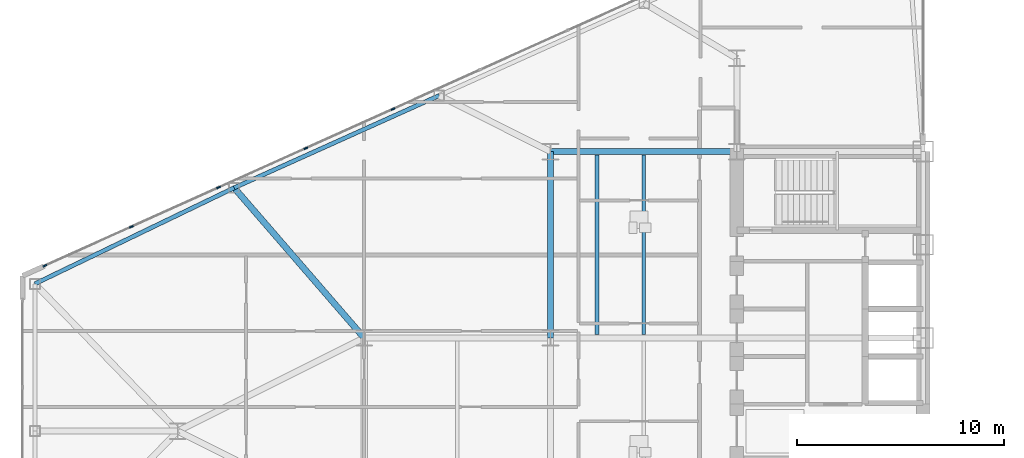
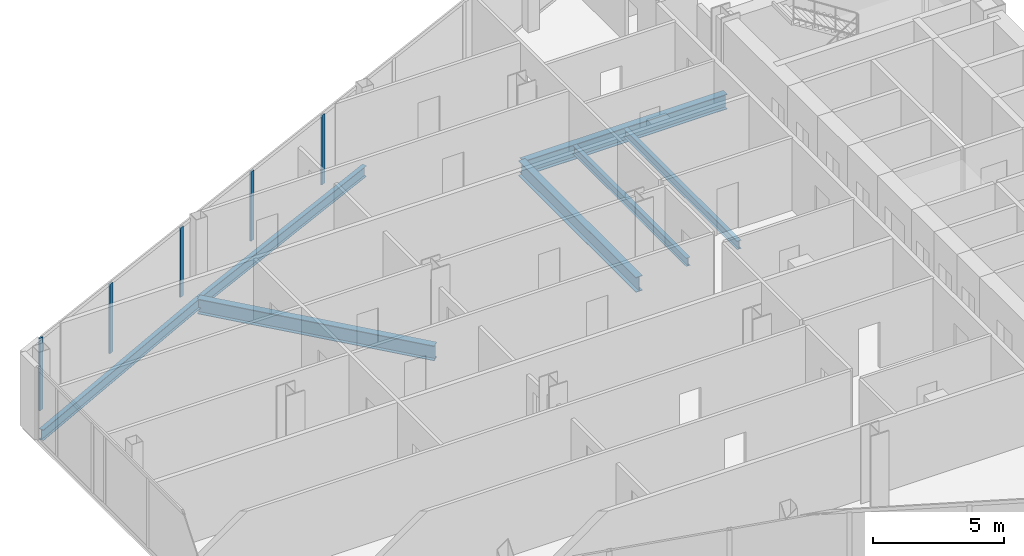
# One storey, part 7 of 27: 7 beams, 5 members, 1 element without a shape of its own.
"""IFC4 building model written with IfcOpenShell, lengths in metres."""

import ifcopenshell
import ifcopenshell.guid

model = None  # the IFC model being written
_history = None  # IfcOwnerHistory: only IFC2X3 demands one
_inside = {}  # id of a spatial element -> (the spatial element, [elements in it])
_under = {}  # id of a project, library or spatial element -> (it, [spatial elements below it])
_declared = {}  # id of a project -> (the project, [libraries it declares])
_typed = {}  # id of a type object -> (the type object, [elements of that type])
_made_of = {}  # id of a material, layer set ... -> (it, [elements and type objects made of it])


def new_model(schema):
    """Start an empty IFC model of exactly this schema.

    Asked for "IFC4X3", IfcOpenShell would pick the latest addendum, in which some entities
    have other attributes; the version numbers below select the first issue.
    IFC2X3 requires an IfcOwnerHistory on every rooted entity: one is made here for all.
    """
    global model, _history
    if schema == "IFC4X3":
        model = ifcopenshell.file(schema_version=(4, 3, 0, 0))
    else:
        model = ifcopenshell.file(schema=schema)
    _inside.clear()
    _under.clear()
    _declared.clear()
    _typed.clear()
    _made_of.clear()
    _history = None
    if model.schema == "IFC2X3":
        org = make("IfcOrganization", Name="unknown")
        user = make(
            "IfcPersonAndOrganization",
            ThePerson=make("IfcPerson", FamilyName="unknown"),
            TheOrganization=org,
        )
        app = make(
            "IfcApplication",
            ApplicationDeveloper=org,
            Version="unknown",
            ApplicationFullName="unknown",
            ApplicationIdentifier="unknown",
        )
        _history = make(
            "IfcOwnerHistory",
            OwningUser=user,
            OwningApplication=app,
            ChangeAction="ADDED",
            CreationDate=0,
        )
    return model


def make(cls, **values):
    """One entity of the class cls with the attributes given. An attribute that is None is left unset."""
    return model.create_entity(
        cls, **{name: value for name, value in values.items() if value is not None}
    )


def rooted(cls, **values):
    """An entity with a GlobalId (a new one), such as an element, a storey or a relation."""
    return make(cls, GlobalId=ifcopenshell.guid.new(), OwnerHistory=_history, **values)


def si_unit(unit_type, name, prefix=None):
    """IfcSIUnit, for example si_unit("LENGTHUNIT", "METRE", prefix="MILLI")."""
    return make("IfcSIUnit", UnitType=unit_type, Prefix=prefix, Name=name)


def assignment(units):
    """IfcUnitAssignment: the units of a project."""
    return None if units is None else make("IfcUnitAssignment", Units=units)


def point(xyz):
    """IfcCartesianPoint."""
    return None if xyz is None else make("IfcCartesianPoint", Coordinates=xyz)


def direction(xyz):
    """IfcDirection."""
    return None if xyz is None else make("IfcDirection", DirectionRatios=xyz)


def frame(location, z_axis=None, x_axis=None):
    """IfcAxis2Placement3D, a coordinate frame: its origin and axes. An axis left out is left unset."""
    return make(
        "IfcAxis2Placement3D",
        Location=point(location),
        Axis=direction(z_axis),
        RefDirection=direction(x_axis),
    )


def frame_2d(location, x_axis=None):
    """IfcAxis2Placement2D, a coordinate frame in the plane: its origin and x axis."""
    return make(
        "IfcAxis2Placement2D", Location=point(location), RefDirection=direction(x_axis)
    )


def origin():
    """The frame at (0, 0, 0) with its axes left unset."""
    return frame((0.0, 0.0, 0.0))


def origin_2d():
    """The frame at (0, 0) in the plane with its x axis left unset."""
    return frame_2d((0.0, 0.0))


def place(relative_to, where):
    """IfcLocalPlacement: puts the frame where relative to a parent placement (None: the world)."""
    return make(
        "IfcLocalPlacement", PlacementRelTo=relative_to, RelativePlacement=where
    )


def context(
    kind, dimensions, precision=None, world=None, true_north=None, identifier=None
):
    """IfcGeometricRepresentationContext, for example the 3D "Model" context."""
    return make(
        "IfcGeometricRepresentationContext",
        ContextIdentifier=identifier,
        ContextType=kind,
        CoordinateSpaceDimension=dimensions,
        Precision=precision,
        WorldCoordinateSystem=world,
        TrueNorth=true_north,
    )


def subcontext(parent, identifier, kind, view, scale=None):
    """IfcGeometricRepresentationSubContext, for example "Body" below "Model"."""
    return make(
        "IfcGeometricRepresentationSubContext",
        ContextIdentifier=identifier,
        ContextType=kind,
        ParentContext=parent,
        TargetScale=scale,
        TargetView=view,
    )


def project(units=None, contexts=None):
    """IfcProject with its units and contexts."""
    return rooted(
        "IfcProject",
        Name="project",
        RepresentationContexts=contexts,
        UnitsInContext=assignment(units),
    )


def spatial(cls, under=None, at=None, **own):
    """A site, building, storey or space (cls), placed at a placement, below another one or the project."""
    s = rooted(cls, ObjectPlacement=at, **own)
    if under is not None:
        _under.setdefault(under.id(), (under, []))[1].append(s)
    return s


def profile(cls, at=None, kind="AREA", **sizes):
    """A parametric profile (cls). Its sizes go by their IFC names, for example OverallWidth=200.0."""
    return make(cls, ProfileType=kind, Position=at, **sizes)


def rectangle(**sizes):
    """IfcRectangleProfileDef."""
    return profile("IfcRectangleProfileDef", **sizes)


def i_section(**sizes):
    """IfcIShapeProfileDef."""
    return profile("IfcIShapeProfileDef", **sizes)


def extrude(swept, where, along, depth):
    """IfcExtrudedAreaSolid: the profile swept, set in the frame where, extruded along a direction by depth."""
    return make(
        "IfcExtrudedAreaSolid",
        SweptArea=swept,
        Position=where,
        ExtrudedDirection=direction(along),
        Depth=depth,
    )


def shape(context_of_items, identifier, shape_type, items):
    """IfcShapeRepresentation: the items that make up one representation, for example the "Body"."""
    return make(
        "IfcShapeRepresentation",
        ContextOfItems=context_of_items,
        RepresentationIdentifier=identifier,
        RepresentationType=shape_type,
        Items=items,
    )


def source(mapping_origin, context_of_items, identifier, shape_type, items):
    """IfcRepresentationMap: a shape defined once, which mapped items show again and again."""
    return make(
        "IfcRepresentationMap",
        MappingOrigin=mapping_origin,
        MappedRepresentation=shape(context_of_items, identifier, shape_type, items),
    )


def transform(
    local_origin,
    x_axis=None,
    y_axis=None,
    z_axis=None,
    scale=None,
    scale2=None,
    scale3=None,
    uniform=True,
):
    """IfcCartesianTransformationOperator3D, or its non-uniform kind. x_axis, y_axis, z_axis: its Axis1, 2, 3."""
    if uniform:
        return make(
            "IfcCartesianTransformationOperator3D",
            Axis1=direction(x_axis),
            Axis2=direction(y_axis),
            LocalOrigin=point(local_origin),
            Scale=scale,
            Axis3=direction(z_axis),
        )
    return make(
        "IfcCartesianTransformationOperator3DnonUniform",
        Axis1=direction(x_axis),
        Axis2=direction(y_axis),
        LocalOrigin=point(local_origin),
        Scale=scale,
        Axis3=direction(z_axis),
        Scale2=scale2,
        Scale3=scale3,
    )


def mapped(mapping_source, mapping_target):
    """IfcMappedItem: shows the shape of a source again, moved by a transform."""
    return make(
        "IfcMappedItem", MappingSource=mapping_source, MappingTarget=mapping_target
    )


def material(Name=None, Category=None):
    """IfcMaterial."""
    return make("IfcMaterial", Name=Name, Category=Category)


def layer(
    of_material, thickness, ventilated=None, Name=None, Category=None, Priority=None
):
    """IfcMaterialLayer: one layer of a wall or slab, of a material (None: an air gap)."""
    return make(
        "IfcMaterialLayer",
        Material=of_material,
        LayerThickness=thickness,
        IsVentilated=ventilated,
        Name=Name,
        Category=Category,
        Priority=Priority,
    )


def layer_set(layers, Name=None):
    """IfcMaterialLayerSet."""
    return make("IfcMaterialLayerSet", MaterialLayers=layers, LayerSetName=Name)


def material_profile(
    of_material, cross_section, Name=None, Category=None, Priority=None
):
    """IfcMaterialProfile: a cross section and its material."""
    return make(
        "IfcMaterialProfile",
        Name=Name,
        Material=of_material,
        Profile=cross_section,
        Priority=Priority,
        Category=Category,
    )


def profile_set(profiles, Name=None, composite=None):
    """IfcMaterialProfileSet."""
    return make(
        "IfcMaterialProfileSet",
        Name=Name,
        MaterialProfiles=profiles,
        CompositeProfile=composite,
    )


def made_of(thing, what):
    """Note that an element or type object is made of a material, layer set ...; save() writes the relation."""
    if what is not None:
        _made_of.setdefault(what.id(), (what, []))[1].append(thing)
    return thing


def type_object(cls, material=None, **own):
    """A type object (cls), such as IfcWallType, which elements share."""
    return made_of(rooted(cls, **own), material)


def type_shapes(of_type, sources):
    """Give a type object the sources (RepresentationMaps) that its elements show as mapped items."""
    of_type.RepresentationMaps = sources


def element(
    cls,
    number,
    at=None,
    inside=None,
    cuts=None,
    type_object=None,
    material=None,
    context=None,
    identifier="Body",
    shape_type=None,
    held_by="IfcProductDefinitionShape",
    body=None,
    shapes=None,
    **own,
):
    """One element of the class cls, such as IfcWall. Its Tag is "e" and its number.

    at: its placement. inside: the storey or other place that contains it. cuts: it is an
    opening in that element (IfcRelVoidsElement). A single representation is given by context,
    identifier, shape_type and body (its items); several are given by shapes. held_by: the class
    of the entity that holds the representations. save() writes the other relations.
    """
    e = rooted(cls, Tag="e%d" % number, ObjectPlacement=at, **own)
    if body is not None:
        shapes = [shape(context, identifier, shape_type, body)]
    if shapes is not None:
        e.Representation = make(held_by, Representations=shapes)
    if inside is not None:
        _inside.setdefault(inside.id(), (inside, []))[1].append(e)
    if cuts is not None:
        rooted(
            "IfcRelVoidsElement", RelatingBuildingElement=cuts, RelatedOpeningElement=e
        )
    if type_object is not None:
        _typed.setdefault(type_object.id(), (type_object, []))[1].append(e)
    return made_of(e, material)


def aggregate(whole, parts):
    """IfcRelAggregates: a whole, such as a stair, and the parts it consists of."""
    return rooted("IfcRelAggregates", RelatingObject=whole, RelatedObjects=parts)


def save(model, path):
    """Write the relations noted so far, then the file.

    IfcRelAggregates (storeys below a building ...), IfcRelContainedInSpatialStructure (elements
    in a storey), IfcRelDefinesByType, IfcRelAssociatesMaterial and IfcRelDeclares: one each for
    every whole, place, type object, material and project.
    """
    for whole, parts in _under.values():
        aggregate(whole, parts)
    for where, things in _inside.values():
        rooted(
            "IfcRelContainedInSpatialStructure",
            RelatedElements=things,
            RelatingStructure=where,
        )
    for kind, things in _typed.values():
        rooted("IfcRelDefinesByType", RelatedObjects=things, RelatingType=kind)
    for what, things in _made_of.values():
        rooted("IfcRelAssociatesMaterial", RelatedObjects=things, RelatingMaterial=what)
    for by, libraries in _declared.values():
        rooted("IfcRelDeclares", RelatingContext=by, RelatedDefinitions=libraries)
    model.write(path)


model = new_model("IFC4")

# Units and contexts
model_context = context("Model", 3, precision=1e-05, world=origin(), true_north=direction((0.0, 1.0)))
body_context = subcontext(model_context, "Body", "Model", "MODEL_VIEW")
ifc_project = project(units=[si_unit("LENGTHUNIT", "METRE"), si_unit("AREAUNIT", "SQUARE_METRE"), si_unit("VOLUMEUNIT", "CUBIC_METRE"), si_unit("PLANEANGLEUNIT", "RADIAN"), si_unit("MASSUNIT", "GRAM", prefix="KILO")], contexts=[model_context])

# Site, building, storey
site_placement = place(None, origin())
site = spatial("IfcSite", under=ifc_project, at=site_placement, CompositionType="ELEMENT")
building_placement = place(site_placement, origin())
building = spatial("IfcBuilding", under=site, at=building_placement, Name="Seokmaru Belvedere", CompositionType="ELEMENT")
storey_placement = place(building_placement, frame((0.0, 0.0, 99.60009765625)))
storey = spatial("IfcBuildingStorey", under=building, at=storey_placement, Name="L26", CompositionType="ELEMENT", Elevation=99.60009765625)

# Beams
ifc_material_1 = material(Name="Steel SM355 (355 MPa)", Category="steel")
ifc_material_profile_1 = material_profile(ifc_material_1, i_section(OverallWidth=0.300048828125, OverallDepth=0.699951171875, WebThickness=0.012939453125, FlangeThickness=0.02392578125, at=origin_2d()), Name="H-700x300x13x24")
ifc_profile_set_1 = profile_set([ifc_material_profile_1], Name="Steel SM355 (355 MPa)")
beam_type_1 = type_object("IfcBeamType", Name="Primary Floor Girder H-700", PredefinedType="BEAM", material=ifc_profile_set_1)
shared_shape_1 = source(origin(), body_context, "Body", "SweptSolid", [
    extrude(i_section(OverallWidth=0.300048828125, OverallDepth=0.699951171875, WebThickness=0.012939453125, FlangeThickness=0.02392578125, at=origin_2d()), origin(), (0.0, 0.0, 1.0), 9.0),
])
for number, where, z_axis, x_axis, name in (
    (1, (-45.5, 4.5, -0.570068359375), (0.0, 1.0, 0.0), (-1.0, 0.0, 0.0), "L26 W Interior Grid Girder 3"),
    (2, (-45.5, 13.5, -0.570068359375), (1.0, 0.0, 0.0), (0.0, 1.0, 0.0), "L26 W Wing Primary Girder 4"),
):
    element("IfcBeam", number, at=place(storey_placement, frame(where, z_axis=z_axis, x_axis=x_axis)), inside=storey, type_object=beam_type_1, Name=name, PredefinedType="BEAM", context=body_context, shape_type="MappedRepresentation", body=[
        mapped(shared_shape_1, transform((0.0, 0.0, 0.0), scale=1.0)),
    ])
ifc_material_profile_2 = material_profile(ifc_material_1, i_section(OverallWidth=0.18505859375, OverallDepth=0.389892578125, WebThickness=0.008056640625, FlangeThickness=0.011962890625, at=origin_2d()), Name="H-390x185x8x12")
ifc_profile_set_2 = profile_set([ifc_material_profile_2], Name="Steel SM355 (355 MPa)")
beam_type_2 = type_object("IfcBeamType", Name="Secondary Floor Joist H-350", PredefinedType="JOIST", material=ifc_profile_set_2)
shared_shape_2 = source(origin(), body_context, "Body", "SweptSolid", [
    extrude(i_section(OverallWidth=0.18505859375, OverallDepth=0.389892578125, WebThickness=0.008056640625, FlangeThickness=0.011962890625, at=origin_2d()), origin(), (0.0, 0.0, 1.0), 8.68994140625),
])
type_shapes(beam_type_2, [shared_shape_2])
for number, where, z_axis, x_axis, name in (
    (3, (-43.25, 4.655029296875, -0.4150390625), (0.0, 1.0, 0.0), (-1.0, 0.0, 0.0), "L26 W Wing Inner Secondary Joist 2"),
    (4, (-41.0, 4.655029296875, -0.4150390625), (0.0, 1.0, 0.0), (-1.0, 0.0, 0.0), "L26 W Secondary Floor Joist 3"),
):
    element("IfcBeam", number, at=place(storey_placement, frame(where, z_axis=z_axis, x_axis=x_axis)), inside=storey, type_object=beam_type_2, Name=name, PredefinedType="JOIST", context=body_context, shape_type="MappedRepresentation", body=[
        mapped(shared_shape_2, transform((0.0, 0.0, 0.0), scale=1.0)),
    ])
ifc_material_profile_3 = material_profile(ifc_material_1, i_section(OverallWidth=0.199951171875, OverallDepth=0.5, WebThickness=0.010009765625, FlangeThickness=0.01611328125, at=origin_2d()), Name="H-500x200x10x16")
ifc_profile_set_3 = profile_set([ifc_material_profile_3], Name="Steel SM355 (355 MPa)")
beam_type_3 = type_object("IfcBeamType", Name="Perimeter Spandrel Beam H-500", PredefinedType="SPANDREL", material=ifc_profile_set_3)
shared_shape_3 = source(origin(), body_context, "Body", "SweptSolid", [
    extrude(i_section(OverallWidth=0.199951171875, OverallDepth=0.5, WebThickness=0.010009765625, FlangeThickness=0.01611328125, at=origin_2d()), origin(), (0.0, 0.0, 1.0), 10.85888671875),
])
beam_1_placement = place(storey_placement, frame((-50.875, 16.205322265625, -0.47021484375), z_axis=(-0.911925291223, -0.410356263785, 0.0), x_axis=(0.410356263785, -0.911925291223, 0.0)))
element("IfcBeam", 5, at=beam_1_placement, inside=storey, type_object=beam_type_3, Name="L26 W Faceted Flank Spandrel N-3", PredefinedType="SPANDREL", context=body_context, shape_type="MappedRepresentation", body=[
    mapped(shared_shape_3, transform((0.0, 0.0, 0.0), scale=1.0)),
])
shared_shape_4 = source(origin(), body_context, "Body", "SweptSolid", [
    extrude(i_section(OverallWidth=0.199951171875, OverallDepth=0.5, WebThickness=0.010009765625, FlangeThickness=0.01611328125, at=origin_2d()), origin(), (0.0, 0.0, 1.0), 10.681396484375),
])
type_shapes(beam_type_3, [shared_shape_3, shared_shape_4])
beam_2_placement = place(storey_placement, frame((-60.777587890625, 11.749267578125, -0.47021484375), z_axis=(-0.900846426616, -0.434137899352, 0.0), x_axis=(0.434137899352, -0.900846426616, 0.0)))
element("IfcBeam", 6, at=beam_2_placement, inside=storey, type_object=beam_type_3, Name="L26 W Faceted Flank Spandrel N-4", PredefinedType="SPANDREL", context=body_context, shape_type="MappedRepresentation", body=[
    mapped(shared_shape_4, transform((0.0, 0.0, 0.0), scale=1.0)),
])
shared_shape_5 = source(origin(), body_context, "Body", "SweptSolid", [
    extrude(i_section(OverallWidth=0.300048828125, OverallDepth=0.699951171875, WebThickness=0.012939453125, FlangeThickness=0.02392578125, at=origin_2d()), origin(), (0.0, 0.0, 1.0), 9.589599609375),
])
type_shapes(beam_type_1, [shared_shape_1, shared_shape_5])
beam_3_placement = place(storey_placement, frame((-60.777587890625, 11.749267578125, -0.570068359375), z_axis=(0.654626140929, -0.755952786629, 0.0), x_axis=(0.755952786629, 0.654626140929, 0.0)))
element("IfcBeam", 7, at=beam_3_placement, inside=storey, type_object=beam_type_1, Name="L26 W Flank Radial Floor Girder N-3", PredefinedType="BEAM", context=body_context, shape_type="MappedRepresentation", body=[
    mapped(shared_shape_5, transform((0.0, 0.0, 0.0), scale=1.0)),
])

# Curtain wall, members
ifc_material_2 = material(Name="Bronze Triple Insulating Glass", Category="glass")
ifc_layer = layer(ifc_material_2, 0.195068359375)
ifc_layer_set = layer_set([ifc_layer], Name="Bronze Triple Insulating Glass")
curtain_wall_type = type_object("IfcCurtainWallType", Name="Lower-Mid Tapered Curtain Wall System CW-3", PredefinedType="NOTDEFINED", material=ifc_layer_set)
curtain_wall_placement = place(storey_placement, origin())
curtain_wall = element("IfcCurtainWall", 8, at=curtain_wall_placement, inside=storey, type_object=curtain_wall_type, Name="L26 Curtain Wall WF3", PredefinedType="NOTDEFINED")
ifc_material_3 = material(Name="Anodised Bronze Aluminium", Category="aluminium")
ifc_material_profile_4 = material_profile(ifc_material_3, rectangle(XDim=0.070068359375, YDim=0.195068359375, at=origin_2d()), Name="CW-M-70x195")
ifc_profile_set_4 = profile_set([ifc_material_profile_4], Name="Anodised Bronze Aluminium")
member_type = type_object("IfcMemberType", Name="Bronze Unitised Mullion 70x195", PredefinedType="MULLION", material=ifc_profile_set_4)
shared_shape_6 = source(origin(), body_context, "Body", "SweptSolid", [
    extrude(rectangle(XDim=0.070068359375, YDim=0.195068359375, at=origin_2d()), origin(), (0.0, 0.0, 1.0), 3.3798828125),
])
member_1_placement = place(storey_placement, frame((-69.91943359375, 7.986328125, 0.0), z_axis=(0.0, 0.0, 1.0), x_axis=(0.41036554765, -0.91192111353, 0.0)))
member_1 = element("IfcMember", 9, at=member_1_placement, type_object=member_type, Name="CW:L26:WF3 Mullion 10", PredefinedType="MULLION", context=body_context, shape_type="MappedRepresentation", body=[
    mapped(shared_shape_6, transform((0.0, 0.0, 0.0), scale=1.0)),
])
shared_shape_7 = source(origin(), body_context, "Body", "SweptSolid", [
    extrude(rectangle(XDim=0.070068359375, YDim=0.195068359375, at=origin_2d()), origin(), (0.0, 0.0, 1.0), 3.239990234375),
])
type_shapes(member_type, [shared_shape_6, shared_shape_7])
member_2_placement = place(storey_placement, frame((-53.105712890625, 15.552490234375, 0.06982421875), z_axis=(0.0, 0.0, 1.0), x_axis=(0.41036554765, -0.91192111353, 0.0)))
member_2 = element("IfcMember", 10, at=member_2_placement, type_object=member_type, Name="CW:L26:WF3 Mullion 6", PredefinedType="MULLION", context=body_context, shape_type="MappedRepresentation", body=[
    mapped(shared_shape_7, transform((0.0, 0.0, 0.0), scale=1.0)),
])
member_3_placement = place(storey_placement, frame((-57.317138671875, 13.6572265625, 0.06982421875), z_axis=(0.0, 0.0, 1.0), x_axis=(0.41036554765, -0.91192111353, 0.0)))
member_3 = element("IfcMember", 11, at=member_3_placement, type_object=member_type, Name="CW:L26:WF3 Mullion 7", PredefinedType="MULLION", context=body_context, shape_type="MappedRepresentation", body=[
    mapped(shared_shape_7, transform((0.0, 0.0, 0.0), scale=1.0)),
])
member_4_placement = place(storey_placement, frame((-61.528564453125, 11.76220703125, 0.06982421875), z_axis=(0.0, 0.0, 1.0), x_axis=(0.41036554765, -0.91192111353, 0.0)))
member_4 = element("IfcMember", 12, at=member_4_placement, type_object=member_type, Name="CW:L26:WF3 Mullion 8", PredefinedType="MULLION", context=body_context, shape_type="MappedRepresentation", body=[
    mapped(shared_shape_7, transform((0.0, 0.0, 0.0), scale=1.0)),
])
member_5_placement = place(storey_placement, frame((-65.739990234375, 9.866943359375, 0.06982421875), z_axis=(0.0, 0.0, 1.0), x_axis=(0.41036554765, -0.91192111353, 0.0)))
member_5 = element("IfcMember", 13, at=member_5_placement, type_object=member_type, Name="CW:L26:WF3 Mullion 9", PredefinedType="MULLION", context=body_context, shape_type="MappedRepresentation", body=[
    mapped(shared_shape_7, transform((0.0, 0.0, 0.0), scale=1.0)),
])
aggregate(curtain_wall, [member_2, member_3, member_4, member_5, member_1])

save(model, "model.ifc")
